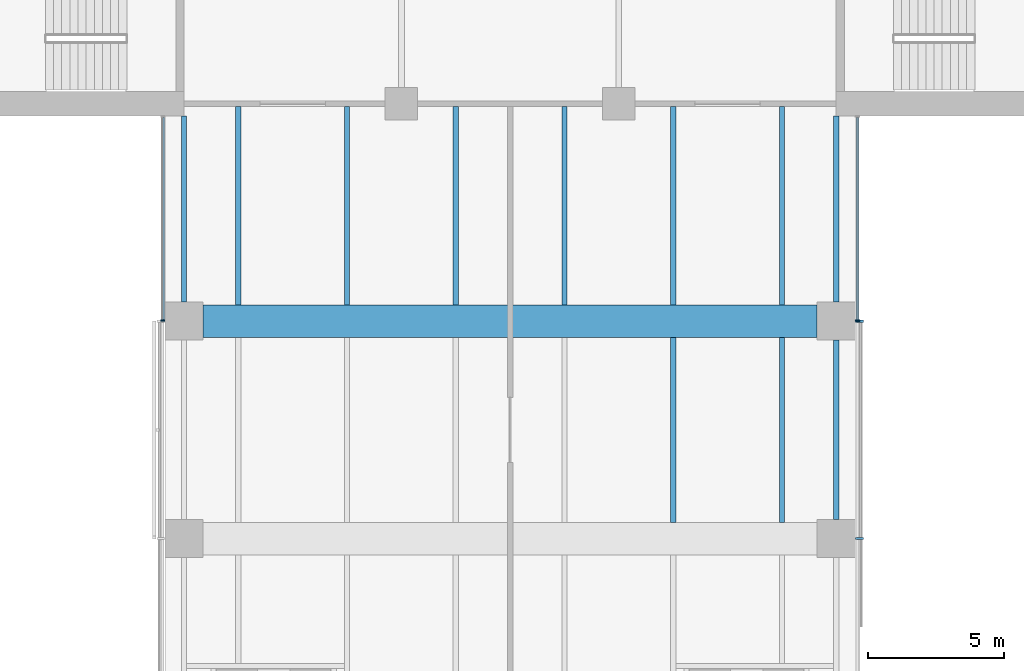
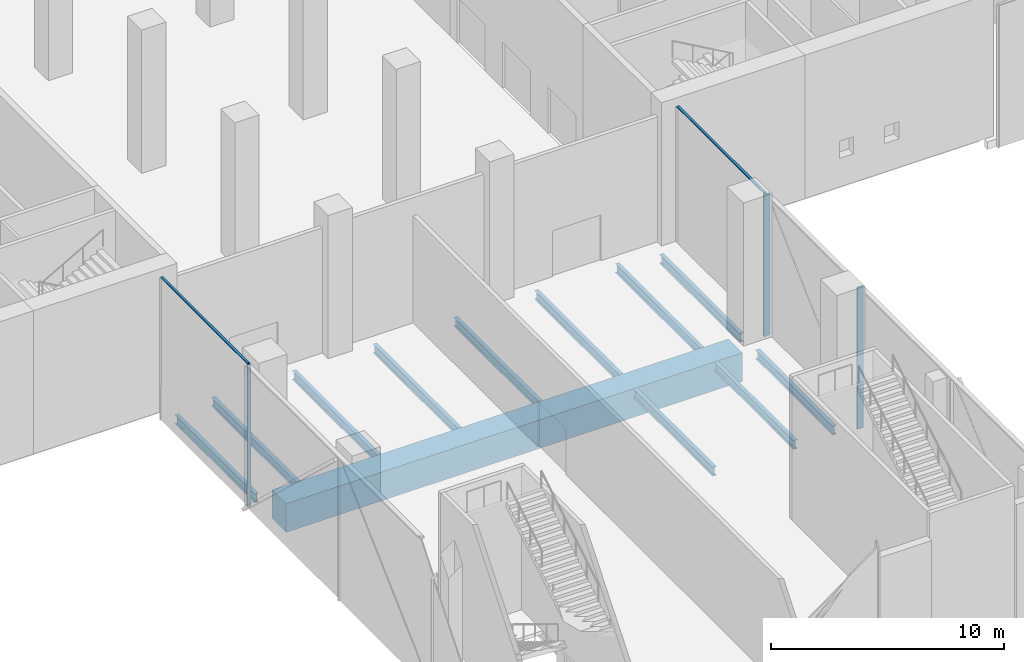
# One storey, part 3 of 25: 12 beams, 6 members, 3 elements without a shape of their own.
"""IFC4 building model written with IfcOpenShell, lengths in metres."""

from ifc_helpers import new_model, si_unit, direction, frame, origin, origin_2d, place, context, subcontext, project, spatial, rectangle, i_section, extrude, material, material_profile, profile_set, type_object, element, aggregate, save


model = new_model("IFC4")

# Units and contexts
model_context = context("Model", 3, precision=1e-05, world=origin(), true_north=direction((0.0, 1.0)))
body_context = subcontext(model_context, "Body", "Model", "MODEL_VIEW")
ifc_project = project(units=[si_unit("LENGTHUNIT", "METRE"), si_unit("AREAUNIT", "SQUARE_METRE"), si_unit("VOLUMEUNIT", "CUBIC_METRE"), si_unit("PLANEANGLEUNIT", "RADIAN"), si_unit("MASSUNIT", "GRAM", prefix="KILO")], contexts=[model_context])

# Site, building, storey
site_placement = place(None, origin())
site = spatial("IfcSite", under=ifc_project, at=site_placement, CompositionType="ELEMENT")
building_placement = place(site_placement, origin())
building = spatial("IfcBuilding", under=site, at=building_placement, Name="Crosswind Convention Tower", CompositionType="ELEMENT")
storey_placement = place(building_placement, frame((0.0, 0.0, 34.0)))
storey = spatial("IfcBuildingStorey", under=building, at=storey_placement, Name="L04", CompositionType="ELEMENT", Elevation=34.0)

# Beams
ifc_material_1 = material(Name="Steel S355", Category="steel")
ifc_material_profile_1 = material_profile(ifc_material_1, i_section(OverallWidth=0.19287109375, OverallDepth=0.467529296875, WebThickness=0.011474609375, FlangeThickness=0.01953125, FilletRadius=0.01025390625, at=origin_2d()), Name="UB 457x191x98")
ifc_profile_set_1 = profile_set([ifc_material_profile_1], Name="Steel S355")
beam_type_1 = type_object("IfcBeamType", Name="Edge beam UB 457x191x98", PredefinedType="SPANDREL", material=ifc_profile_set_1)
beam_1_placement = place(storey_placement, frame((113.0, 80.699951171875, -0.6337890625), z_axis=(0.0, 1.0, 0.0), x_axis=(-1.0, 0.0, 0.0)))
element("IfcBeam", 1, at=beam_1_placement, inside=storey, type_object=beam_type_1, Name="B20 L04 edge beam 8", PredefinedType="SPANDREL", context=body_context, shape_type="SweptSolid", body=[
    extrude(i_section(OverallWidth=0.19287109375, OverallDepth=0.467529296875, WebThickness=0.011474609375, FlangeThickness=0.01953125, FilletRadius=0.01025390625, at=origin_2d()), origin(), (0.0, 0.0, 1.0), 6.85009765625),
])
beam_2_placement = place(storey_placement, frame((137.0, 72.699951171875, -0.6337890625), z_axis=(0.0, 1.0, 0.0), x_axis=(-1.0, 0.0, 0.0)))
element("IfcBeam", 2, at=beam_2_placement, inside=storey, type_object=beam_type_1, Name="B20 L04 edge beam 15", PredefinedType="SPANDREL", context=body_context, shape_type="SweptSolid", body=[
    extrude(i_section(OverallWidth=0.19287109375, OverallDepth=0.467529296875, WebThickness=0.011474609375, FlangeThickness=0.01953125, FilletRadius=0.01025390625, at=origin_2d()), origin(), (0.0, 0.0, 1.0), 6.60009765625),
])
beam_3_placement = place(storey_placement, frame((137.0, 80.699951171875, -0.6337890625), z_axis=(0.0, 1.0, 0.0), x_axis=(-1.0, 0.0, 0.0)))
element("IfcBeam", 3, at=beam_3_placement, inside=storey, type_object=beam_type_1, Name="B20 L04 edge beam 16", PredefinedType="SPANDREL", context=body_context, shape_type="SweptSolid", body=[
    extrude(i_section(OverallWidth=0.19287109375, OverallDepth=0.467529296875, WebThickness=0.011474609375, FlangeThickness=0.01953125, FilletRadius=0.01025390625, at=origin_2d()), origin(), (0.0, 0.0, 1.0), 6.85009765625),
])

# Curtain wall, member
ifc_material_2 = material(Name="Aluminium unitised curtain wall", Category="aluminium")
curtain_wall_type_1 = type_object("IfcCurtainWallType", Name="CORE END SLOT WALL 160", PredefinedType="USERDEFINED", material=ifc_material_2)
curtain_wall_1_placement = place(storey_placement, origin())
curtain_wall_1 = element("IfcCurtainWall", 4, at=curtain_wall_1_placement, inside=storey, type_object=curtain_wall_type_1, Name="CW6 L04 S-W.1-1 slot", ObjectType="UNITISED", PredefinedType="USERDEFINED")
ifc_material_3 = material(Name="Aluminium mullion", Category="aluminium")
ifc_material_profile_2 = material_profile(ifc_material_3, rectangle(XDim=0.159912109375, YDim=0.050048828125, at=origin_2d()), Name="AL 160X50")
ifc_profile_set_2 = profile_set([ifc_material_profile_2], Name="Aluminium mullion")
member_type_1 = type_object("IfcMemberType", Name="MULLION 50X160", PredefinedType="MULLION", material=ifc_profile_set_2)
member_1_placement = place(storey_placement, frame((112.219970703125, 80.02490234375, -0.39990234375), z_axis=(0.0, 0.0, 1.0), x_axis=(-1.0, 0.0, 0.0)))
member_1 = element("IfcMember", 5, at=member_1_placement, type_object=member_type_1, Name="CW6 mullion 2", PredefinedType="MULLION", context=body_context, shape_type="SweptSolid", body=[
    extrude(rectangle(XDim=0.159912109375, YDim=0.050048828125, at=origin_2d()), origin(), (0.0, 0.0, 1.0), 7.449951171875),
])

curtain_wall_2_placement = place(storey_placement, origin())
curtain_wall_2 = element("IfcCurtainWall", 6, at=curtain_wall_2_placement, inside=storey, type_object=curtain_wall_type_1, Name="CW6 L04 S-E.1-4 slot", ObjectType="UNITISED", PredefinedType="USERDEFINED")
member_2_placement = place(storey_placement, frame((137.780029296875, 80.02490234375, -0.39990234375), z_axis=(0.0, 0.0, 1.0), x_axis=(1.0, 0.0, 0.0)))
member_2 = element("IfcMember", 7, at=member_2_placement, type_object=member_type_1, Name="CW6 mullion 1", PredefinedType="MULLION", context=body_context, shape_type="SweptSolid", body=[
    extrude(rectangle(XDim=0.159912109375, YDim=0.050048828125, at=origin_2d()), origin(), (0.0, 0.0, 1.0), 7.449951171875),
])

# Curtain wall, members
curtain_wall_type_2 = type_object("IfcCurtainWallType", Name="PODIUM UNITISED WALL 300", PredefinedType="USERDEFINED", material=ifc_material_2)
curtain_wall_3_placement = place(storey_placement, origin())
curtain_wall_3 = element("IfcCurtainWall", 8, at=curtain_wall_3_placement, inside=storey, type_object=curtain_wall_type_2, Name="CW1 L04 S-E 1", ObjectType="UNITISED", PredefinedType="USERDEFINED")
ifc_material_profile_3 = material_profile(ifc_material_3, rectangle(XDim=0.300048828125, YDim=0.080078125, at=origin_2d()), Name="AL 300X80")
ifc_profile_set_3 = profile_set([ifc_material_profile_3], Name="Aluminium mullion")
member_type_2 = type_object("IfcMemberType", Name="MULLION 80X300", PredefinedType="MULLION", material=ifc_profile_set_3)
member_3_placement = place(storey_placement, frame((137.85009765625, 72.0, -0.39990234375), z_axis=(0.0, 0.0, 1.0), x_axis=(1.0, 0.0, 0.0)))
member_3 = element("IfcMember", 9, at=member_3_placement, type_object=member_type_2, Name="CW1 mullion 3", PredefinedType="MULLION", context=body_context, shape_type="SweptSolid", body=[
    extrude(rectangle(XDim=0.300048828125, YDim=0.080078125, at=origin_2d()), origin(), (0.0, 0.0, 1.0), 7.419921875),
])
member_4_placement = place(storey_placement, frame((137.85009765625, 80.0, -0.39990234375), z_axis=(0.0, 0.0, 1.0), x_axis=(1.0, 0.0, 0.0)))
member_4 = element("IfcMember", 10, at=member_4_placement, type_object=member_type_2, Name="CW1 mullion 4", PredefinedType="MULLION", context=body_context, shape_type="SweptSolid", body=[
    extrude(rectangle(XDim=0.300048828125, YDim=0.080078125, at=origin_2d()), origin(), (0.0, 0.0, 1.0), 7.419921875),
])
aggregate(curtain_wall_3, [member_3, member_4])

# Beams
ifc_material_4 = material(Name="Concrete C70/85", Category="concrete")
ifc_material_profile_4 = material_profile(ifc_material_4, rectangle(XDim=1.199951171875, YDim=1.5, at=origin_2d()), Name="RC 1200X1500")
ifc_profile_set_4 = profile_set([ifc_material_profile_4], Name="Concrete C70/85")
beam_type_2 = type_object("IfcBeamType", Name="Prestressed concrete girder RC 1200X1500", PredefinedType="BEAM", material=ifc_profile_set_4)
beam_4_placement = place(storey_placement, frame((113.699951171875, 80.0, -1.14990234375), z_axis=(1.0, 0.0, 0.0), x_axis=(0.0, 1.0, 0.0)))
element("IfcBeam", 11, at=beam_4_placement, inside=storey, type_object=beam_type_2, Name="B39 L04 prestressed concrete girder 2", PredefinedType="BEAM", context=body_context, shape_type="SweptSolid", body=[
    extrude(rectangle(XDim=1.199951171875, YDim=1.5, at=origin_2d()), origin(), (0.0, 0.0, 1.0), 22.60009765625),
])
ifc_material_profile_5 = material_profile(ifc_material_1, i_section(OverallWidth=0.19140625, OverallDepth=0.460205078125, WebThickness=0.010009765625, FlangeThickness=0.01611328125, FilletRadius=0.01025390625, at=origin_2d()), Name="UB 457x191x82")
ifc_profile_set_5 = profile_set([ifc_material_profile_5], Name="Steel S355")
beam_type_3 = type_object("IfcBeamType", Name="Secondary beam UB 457x191x82", PredefinedType="JOIST", material=ifc_profile_set_5)
for number, where, z_axis, x_axis, name in (
    (12, (115.0, 80.60009765625, -0.630126953125), (0.0, 1.0, 0.0), (-1.0, 0.0, 0.0), "B13 L04 secondary beam 16"),
    (13, (119.0, 80.60009765625, -0.630126953125), (0.0, 1.0, 0.0), (-1.0, 0.0, 0.0), "B13 L04 secondary beam 23"),
):
    element("IfcBeam", number, at=place(storey_placement, frame(where, z_axis=z_axis, x_axis=x_axis)), inside=storey, type_object=beam_type_3, Name=name, PredefinedType="JOIST", context=body_context, shape_type="SweptSolid", body=[
        extrude(i_section(OverallWidth=0.19140625, OverallDepth=0.460205078125, WebThickness=0.010009765625, FlangeThickness=0.01611328125, FilletRadius=0.01025390625, at=origin_2d()), origin(), (0.0, 0.0, 1.0), 7.29296875),
    ])
for number, where, z_axis, x_axis, name in (
    (14, (123.0, 80.60009765625, -0.630126953125), (0.0, 1.0, 0.0), (-1.0, 0.0, 0.0), "B13 L04 secondary beam 34"),
    (15, (127.0, 80.60009765625, -0.630126953125), (0.0, 1.0, 0.0), (-1.0, 0.0, 0.0), "B13 L04 secondary beam 42"),
):
    element("IfcBeam", number, at=place(storey_placement, frame(where, z_axis=z_axis, x_axis=x_axis)), inside=storey, type_object=beam_type_3, Name=name, PredefinedType="JOIST", context=body_context, shape_type="SweptSolid", body=[
        extrude(i_section(OverallWidth=0.19140625, OverallDepth=0.460205078125, WebThickness=0.010009765625, FlangeThickness=0.01611328125, FilletRadius=0.01025390625, at=origin_2d()), origin(), (0.0, 0.0, 1.0), 7.2939453125),
    ])
beam_5_placement = place(storey_placement, frame((131.0, 72.60009765625, -0.630126953125), z_axis=(0.0, 1.0, 0.0), x_axis=(-1.0, 0.0, 0.0)))
element("IfcBeam", 16, at=beam_5_placement, inside=storey, type_object=beam_type_3, Name="B13 L04 secondary beam 52", PredefinedType="JOIST", context=body_context, shape_type="SweptSolid", body=[
    extrude(i_section(OverallWidth=0.19140625, OverallDepth=0.460205078125, WebThickness=0.010009765625, FlangeThickness=0.01611328125, FilletRadius=0.01025390625, at=origin_2d()), origin(), (0.0, 0.0, 1.0), 6.7998046875),
])
beam_6_placement = place(storey_placement, frame((131.0, 80.60009765625, -0.630126953125), z_axis=(0.0, 1.0, 0.0), x_axis=(-1.0, 0.0, 0.0)))
element("IfcBeam", 17, at=beam_6_placement, inside=storey, type_object=beam_type_3, Name="B13 L04 secondary beam 53", PredefinedType="JOIST", context=body_context, shape_type="SweptSolid", body=[
    extrude(i_section(OverallWidth=0.19140625, OverallDepth=0.460205078125, WebThickness=0.010009765625, FlangeThickness=0.01611328125, FilletRadius=0.01025390625, at=origin_2d()), origin(), (0.0, 0.0, 1.0), 7.29296875),
])
beam_7_placement = place(storey_placement, frame((135.0, 72.60009765625, -0.630126953125), z_axis=(0.0, 1.0, 0.0), x_axis=(-1.0, 0.0, 0.0)))
element("IfcBeam", 18, at=beam_7_placement, inside=storey, type_object=beam_type_3, Name="B13 L04 secondary beam 59", PredefinedType="JOIST", context=body_context, shape_type="SweptSolid", body=[
    extrude(i_section(OverallWidth=0.19140625, OverallDepth=0.460205078125, WebThickness=0.010009765625, FlangeThickness=0.01611328125, FilletRadius=0.01025390625, at=origin_2d()), origin(), (0.0, 0.0, 1.0), 6.7998046875),
])
beam_8_placement = place(storey_placement, frame((135.0, 80.60009765625, -0.630126953125), z_axis=(0.0, 1.0, 0.0), x_axis=(-1.0, 0.0, 0.0)))
element("IfcBeam", 19, at=beam_8_placement, inside=storey, type_object=beam_type_3, Name="B13 L04 secondary beam 60", PredefinedType="JOIST", context=body_context, shape_type="SweptSolid", body=[
    extrude(i_section(OverallWidth=0.19140625, OverallDepth=0.460205078125, WebThickness=0.010009765625, FlangeThickness=0.01611328125, FilletRadius=0.01025390625, at=origin_2d()), origin(), (0.0, 0.0, 1.0), 7.29296875),
])

# Member
ifc_material_5 = material(Name="Aluminium transom", Category="aluminium")
ifc_material_profile_6 = material_profile(ifc_material_5, rectangle(XDim=0.1201171875, YDim=0.050048828125, at=origin_2d()), Name="AL 120X50")
ifc_profile_set_6 = profile_set([ifc_material_profile_6], Name="Aluminium transom")
member_type_3 = type_object("IfcMemberType", Name="TRANSOM 50X120", PredefinedType="USERDEFINED", material=ifc_profile_set_6)
member_5_placement = place(storey_placement, frame((112.219970703125, 87.5, 7.074951171875), z_axis=(0.0, -1.0, 0.0), x_axis=(1.0, 0.0, 0.0)))
member_5 = element("IfcMember", 20, at=member_5_placement, type_object=member_type_3, Name="CW6 transom", ObjectType="TRANSOM", PredefinedType="USERDEFINED", context=body_context, shape_type="SweptSolid", body=[
    extrude(rectangle(XDim=0.1201171875, YDim=0.050048828125, at=origin_2d()), origin(), (0.0, 0.0, 1.0), 7.449951171875),
])

aggregate(curtain_wall_1, [member_1, member_5])

member_6_placement = place(storey_placement, frame((137.780029296875, 80.050048828125, 7.074951171875), z_axis=(0.0, 1.0, 0.0), x_axis=(-1.0, 0.0, 0.0)))
member_6 = element("IfcMember", 21, at=member_6_placement, type_object=member_type_3, Name="CW6 transom", ObjectType="TRANSOM", PredefinedType="USERDEFINED", context=body_context, shape_type="SweptSolid", body=[
    extrude(rectangle(XDim=0.1201171875, YDim=0.050048828125, at=origin_2d()), origin(), (0.0, 0.0, 1.0), 7.449951171875),
])

aggregate(curtain_wall_2, [member_2, member_6])

save(model, "model.ifc")
